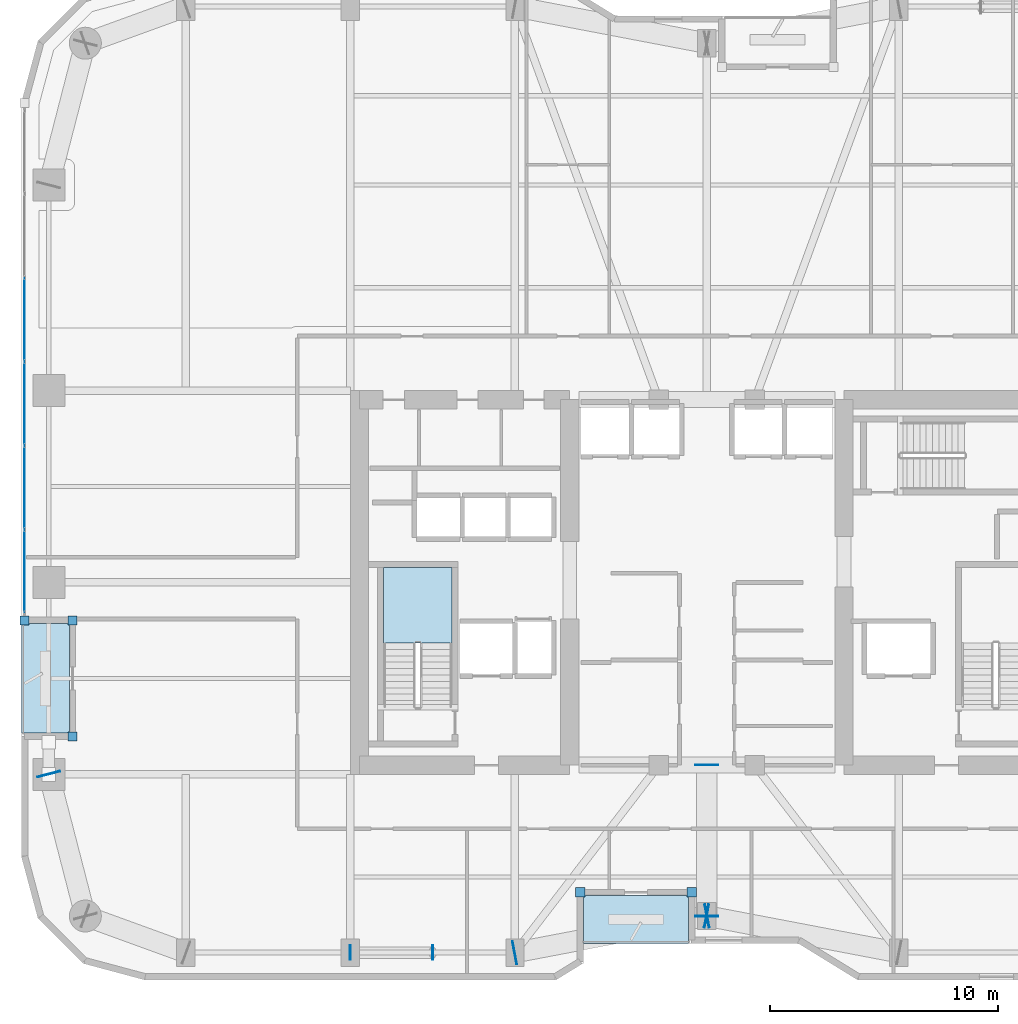
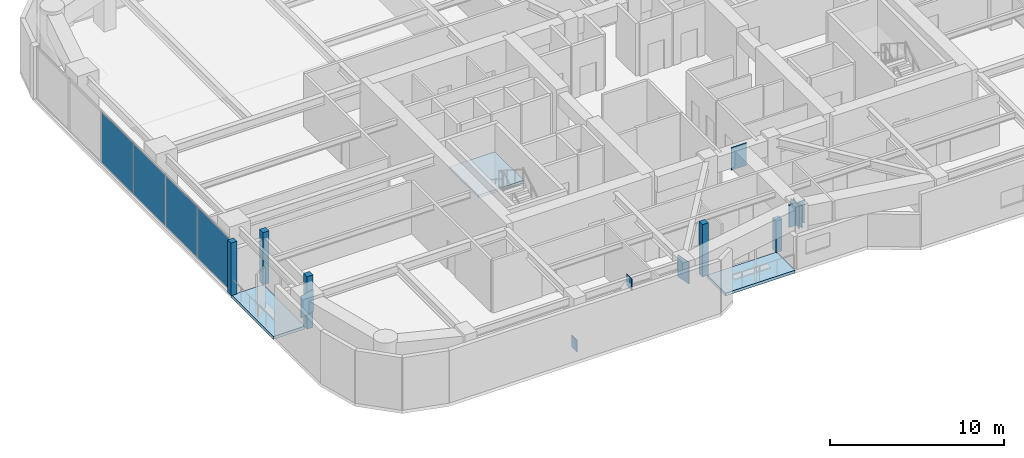
# One storey, part 21 of 30: 17 plates, 3 slabs, 2 elements without a shape of their own.
"""IFC4 building model written with IfcOpenShell, lengths in metres."""

from ifc_helpers import new_model, si_unit, direction, frame, origin, origin_2d, place, context, subcontext, project, spatial, polyline, rectangle, outline, extrude, material, layer, layer_set, type_object, element, aggregate, save


model = new_model("IFC4")

# Units and contexts
model_context = context("Model", 3, precision=1e-05, world=origin(), true_north=direction((0.0, 1.0)))
body_context = subcontext(model_context, "Body", "Model", "MODEL_VIEW")
ifc_project = project(units=[si_unit("LENGTHUNIT", "METRE"), si_unit("AREAUNIT", "SQUARE_METRE"), si_unit("VOLUMEUNIT", "CUBIC_METRE"), si_unit("PLANEANGLEUNIT", "RADIAN"), si_unit("MASSUNIT", "GRAM", prefix="KILO")], contexts=[model_context])

# Site, building, storey
site_placement = place(None, origin())
site = spatial("IfcSite", under=ifc_project, at=site_placement, CompositionType="ELEMENT")
building_placement = place(site_placement, origin())
building = spatial("IfcBuilding", under=site, at=building_placement, Name="Kiyonajd Concourse Tower", CompositionType="ELEMENT")
storey_placement = place(building_placement, frame((0.0, 0.0, 150.60009765625)))
storey = spatial("IfcBuildingStorey", under=building, at=storey_placement, Name="L38", CompositionType="ELEMENT", Elevation=150.60009765625)

# Plates
ifc_material_1 = material(Name="Steel ASTM A572 Grade 50", Category="steel")
ifc_layer_1 = layer(ifc_material_1, 0.028076171875)
ifc_layer_set_1 = layer_set([ifc_layer_1], Name="Steel ASTM A572 Grade 50")
plate_type_1 = type_object("IfcPlateType", Name="PL-CAP-450", PredefinedType="USERDEFINED", material=ifc_layer_set_1)
for number, where, z_axis, x_axis, name in (
    (1, (32.3916015625, 19.800048828125, -0.109375), (0.0, 0.0, 1.0), (-1.0, 0.0, 0.0), "L38 Hollow Brace End Cap Plate PBS"),
    (2, (36.00830078125, 19.800048828125, 2.93505859375), (0.0, 0.0, 1.0), (1.0, 0.0, 0.0), "L38 Hollow Brace Top Cap Plate PBS"),
):
    element("IfcPlate", number, at=place(storey_placement, frame(where, z_axis=z_axis, x_axis=x_axis)), inside=storey, type_object=plate_type_1, Name=name, ObjectType="CAP PLATE", PredefinedType="USERDEFINED", context=body_context, shape_type="SweptSolid", body=[
        extrude(rectangle(XDim=0.035888671875, YDim=0.6279296875, at=origin_2d()), origin(), (0.0, 0.0, 1.0), 0.803955078125),
    ])
ifc_layer_2 = layer(ifc_material_1, 0.031982421875)
ifc_layer_set_2 = layer_set([ifc_layer_2], Name="Steel ASTM A572 Grade 50")
plate_type_2 = type_object("IfcPlateType", Name="PL-CAP-540", PredefinedType="USERDEFINED", material=ifc_layer_set_2)
for number, where, z_axis, x_axis, name in (
    (3, (19.197265625, 27.610595703125, 2.2099609375), (0.0, 0.0, 1.0), (-0.249873048837, 0.968278606324, 0.0), "L38 Welded Box Girder End Cap"),
    (4, (39.589111328125, 19.7978515625, 2.2099609375), (0.0, 0.0, 1.0), (-0.982352599301, -0.187038420242, 0.0), "L38 Welded Box Girder End Cap"),
    (5, (48.0107421875, 21.402099609375, 2.2099609375), (0.0, 0.0, 1.0), (0.982352599301, 0.187038420242, 0.0), "L38 Welded Box Girder End Cap"),
    (6, (47.9892578125, 21.402099609375, 2.2099609375), (0.0, 0.0, 1.0), (-0.982352599301, 0.187038420242, 0.0), "L38 Welded Box Girder End Cap"),
):
    element("IfcPlate", number, at=place(storey_placement, frame(where, z_axis=z_axis, x_axis=x_axis)), inside=storey, type_object=plate_type_2, Name=name, ObjectType="CAP PLATE", PredefinedType="USERDEFINED", context=body_context, shape_type="SweptSolid", body=[
        extrude(rectangle(XDim=0.035888671875, YDim=1.02001953125, at=origin_2d()), origin(), (0.0, 0.0, 1.0), 1.5400390625),
    ])
for number, where, z_axis, x_axis, name in (
    (7, (48.0, 21.388916015625, 2.15966796875), (0.0, 0.0, 1.0), (0.0, -1.0, 0.0), "L38 Welded Box Girder End Cap"),
    (8, (48.0, 28.010986328125, 2.15966796875), (0.0, 0.0, 1.0), (0.0, 1.0, 0.0), "L38 Welded Box Girder End Cap"),
):
    element("IfcPlate", number, at=place(storey_placement, frame(where, z_axis=z_axis, x_axis=x_axis)), inside=storey, type_object=plate_type_2, Name=name, ObjectType="CAP PLATE", PredefinedType="USERDEFINED", context=body_context, shape_type="SweptSolid", body=[
        extrude(rectangle(XDim=0.035888671875, YDim=1.02001953125, at=origin_2d()), origin(), (0.0, 0.0, 1.0), 1.590087890625),
    ])

# Curtain wall, plates
ifc_material_2 = material(Name="Thermally Broken Anodised Aluminium", Category="aluminium")
ifc_layer_3 = layer(ifc_material_2, 0.179931640625)
ifc_layer_set_3 = layer_set([ifc_layer_3], Name="Thermally Broken Anodised Aluminium")
curtain_wall_type = type_object("IfcCurtainWallType", Name="CW-SYS-03", PredefinedType="NOTDEFINED", material=ifc_layer_set_3)
curtain_wall_placement = place(storey_placement, origin())
curtain_wall = element("IfcCurtainWall", 9, at=curtain_wall_placement, inside=storey, type_object=curtain_wall_type, Name="L38 Unitised Curtain Wall CW3", PredefinedType="NOTDEFINED")
ifc_material_3 = material(Name="Double Low-E Insulated Glass", Category="glass")
ifc_layer_4 = layer(ifc_material_3, 0.033935546875)
ifc_layer_set_4 = layer_set([ifc_layer_4], Name="Double Low-E Insulated Glass")
plate_type_3 = type_object("IfcPlateType", Name="PL-CW-VIS34", PredefinedType="CURTAIN_PANEL", material=ifc_layer_set_4)
plate_1_placement = place(storey_placement, frame((18.139892578125, 36.484619140625, 0.06494140625), z_axis=(0.0, 0.0, 1.0), x_axis=(0.0, 1.0, 0.0)))
plate_1 = element("IfcPlate", 10, at=plate_1_placement, type_object=plate_type_3, Name="CW3 panel 1.1", PredefinedType="CURTAIN_PANEL", context=body_context, shape_type="SweptSolid", body=[
    extrude(rectangle(XDim=3.579345703125, YDim=0.033935546875, at=origin_2d()), origin(), (0.0, 0.0, 1.0), 3.550048828125),
])
plate_2_placement = place(storey_placement, frame((18.139892578125, 40.1455078125, 0.06494140625), z_axis=(0.0, 0.0, 1.0), x_axis=(0.0, 1.0, 0.0)))
plate_2 = element("IfcPlate", 11, at=plate_2_placement, type_object=plate_type_3, Name="CW3 panel 2.1", PredefinedType="CURTAIN_PANEL", context=body_context, shape_type="SweptSolid", body=[
    extrude(rectangle(XDim=3.61181640625, YDim=0.033935546875, at=origin_2d()), origin(), (0.0, 0.0, 1.0), 3.550048828125),
])
plate_3_placement = place(storey_placement, frame((18.139892578125, 43.822265625, 0.06494140625), z_axis=(0.0, 0.0, 1.0), x_axis=(0.0, 1.0, 0.0)))
plate_3 = element("IfcPlate", 12, at=plate_3_placement, type_object=plate_type_3, Name="CW3 panel 3.1", PredefinedType="CURTAIN_PANEL", context=body_context, shape_type="SweptSolid", body=[
    extrude(rectangle(XDim=3.61181640625, YDim=0.033935546875, at=origin_2d()), origin(), (0.0, 0.0, 1.0), 3.550048828125),
])
plate_4_placement = place(storey_placement, frame((18.139892578125, 47.499267578125, 0.06494140625), z_axis=(0.0, 0.0, 1.0), x_axis=(0.0, 1.0, 0.0)))
plate_4 = element("IfcPlate", 13, at=plate_4_placement, type_object=plate_type_3, Name="CW3 panel 4.1", PredefinedType="CURTAIN_PANEL", context=body_context, shape_type="SweptSolid", body=[
    extrude(rectangle(XDim=3.61181640625, YDim=0.033935546875, at=origin_2d()), origin(), (0.0, 0.0, 1.0), 3.550048828125),
])
aggregate(curtain_wall, [plate_1, plate_2, plate_3, plate_4])

# Plates
ifc_layer_5 = layer(ifc_material_2, 0.39990234375)
ifc_layer_set_5 = layer_set([ifc_layer_5], Name="Thermally Broken Anodised Aluminium")
plate_type_4 = type_object("IfcPlateType", Name="PL-JMB-400", PredefinedType="USERDEFINED", material=ifc_layer_set_5)
for number, where, z_axis, x_axis, name in (
    (14, (20.239990234375, 29.260009765625, 0.0), (0.0, 0.0, 1.0), (1.0, 0.0, 0.0), "L38 Facade Jamb Closure Plate 01"),
    (15, (20.239990234375, 34.340087890625, 0.0), (0.0, 0.0, 1.0), (1.0, 0.0, 0.0), "L38 Facade Jamb Closure Plate 02"),
    (16, (18.139892578125, 34.340087890625, 0.0), (0.0, 0.0, 1.0), (1.0, 0.0, 0.0), "L38 Facade Jamb Closure Plate 03"),
):
    element("IfcPlate", number, at=place(storey_placement, frame(where, z_axis=z_axis, x_axis=x_axis)), inside=storey, type_object=plate_type_4, Name=name, ObjectType="JAMB PLATE", PredefinedType="USERDEFINED", context=body_context, shape_type="SweptSolid", body=[
        extrude(rectangle(XDim=0.39990234375, YDim=0.39990234375, at=origin_2d()), origin(), (0.0, 0.0, 1.0), 3.679931640625),
    ])
plate_5_placement = place(storey_placement, frame((47.340087890625, 22.43994140625, 0.0), z_axis=(0.0, 0.0, 1.0), x_axis=(1.0, 0.0, 0.0)))
element("IfcPlate", 17, at=plate_5_placement, inside=storey, type_object=plate_type_4, Name="L38 Facade Jamb Closure Plate 13", ObjectType="JAMB PLATE", PredefinedType="USERDEFINED", context=body_context, shape_type="SweptSolid", body=[
    extrude(rectangle(XDim=0.39990234375, YDim=0.39990234375, at=origin_2d()), origin(), (0.0, 0.0, 1.0), 2.215087890625),
])
plate_6_placement = place(storey_placement, frame((42.4599609375, 22.43994140625, 0.0), z_axis=(0.0, 0.0, 1.0), x_axis=(1.0, 0.0, 0.0)))
element("IfcPlate", 18, at=plate_6_placement, inside=storey, type_object=plate_type_4, Name="L38 Facade Jamb Closure Plate 14", ObjectType="JAMB PLATE", PredefinedType="USERDEFINED", context=body_context, shape_type="SweptSolid", body=[
    extrude(rectangle(XDim=0.39990234375, YDim=0.39990234375, at=origin_2d()), origin(), (0.0, 0.0, 1.0), 3.679931640625),
])

# Stair, slab
ifc_material_4 = material(Name="Concrete C40/50", Category="concrete")
stair_type = type_object("IfcStairType", Name="ST-DLG-22R", PredefinedType="HALF_TURN_STAIR", material=ifc_material_4)
stair_placement = place(storey_placement, origin())
stair = element("IfcStair", 19, at=stair_placement, inside=storey, type_object=stair_type, Name="L38 Protected Exit Stair ST1", PredefinedType="HALF_TURN_STAIR")
ifc_layer_6 = layer(ifc_material_4, 0.199951171875)
ifc_layer_set_6 = layer_set([ifc_layer_6], Name="Concrete C40/50")
slab_type_1 = type_object("IfcSlabType", Name="SL-LND-200", PredefinedType="LANDING", material=ifc_layer_set_6)
slab_1_placement = place(storey_placement, frame((0.0, 0.0, 1.75)))
slab_1 = element("IfcSlab", 20, at=slab_1_placement, type_object=slab_type_1, Name="ST1 landing 1", PredefinedType="LANDING", context=body_context, shape_type="SweptSolid", body=[
    extrude(outline(polyline([(36.85009765625, 33.35009765625), (36.85009765625, 36.64990234375), (33.85009765625, 36.64990234375), (33.85009765625, 33.35009765625), (36.85009765625, 33.35009765625)])), origin(), (0.0, 0.0, 1.0), 0.199951171875),
])
aggregate(stair, [slab_1])

# Slabs
ifc_material_5 = material(Name="Precast concrete C50/60", Category="concrete")
ifc_layer_7 = layer(ifc_material_5, 0.199951171875)
ifc_layer_set_7 = layer_set([ifc_layer_7], Name="Precast concrete C50/60")
slab_type_2 = type_object("IfcSlabType", Name="SL-LOG-200", PredefinedType="FLOOR", material=ifc_layer_set_7)
slab_2_placement = place(storey_placement, frame((0.0, 0.0, -0.2001953125)))
element("IfcSlab", 21, at=slab_2_placement, inside=storey, type_object=slab_type_2, Name="L38 Recessed Engawa Loggia Terrace Slab LOG-S", PredefinedType="FLOOR", context=body_context, shape_type="SweptSolid", body=[
    extrude(outline(polyline([(42.60009765625, 20.199951171875), (47.199951171875, 20.199951171875), (47.199951171875, 22.300048828125), (42.60009765625, 22.300048828125), (42.60009765625, 20.199951171875)])), origin(), (0.0, 0.0, 1.0), 0.2001953125),
])
slab_3_placement = place(storey_placement, frame((0.0, 0.0, -0.2001953125)))
element("IfcSlab", 22, at=slab_3_placement, inside=storey, type_object=slab_type_2, Name="L38 Recessed Engawa Loggia Terrace Slab LOG-W", PredefinedType="FLOOR", context=body_context, shape_type="SweptSolid", body=[
    extrude(outline(polyline([(18.0, 29.39990234375), (20.10009765625, 29.39990234375), (20.10009765625, 34.199951171875), (18.0, 34.199951171875), (18.0, 29.39990234375)])), origin(), (0.0, 0.0, 1.0), 0.2001953125),
])

save(model, "model.ifc")
